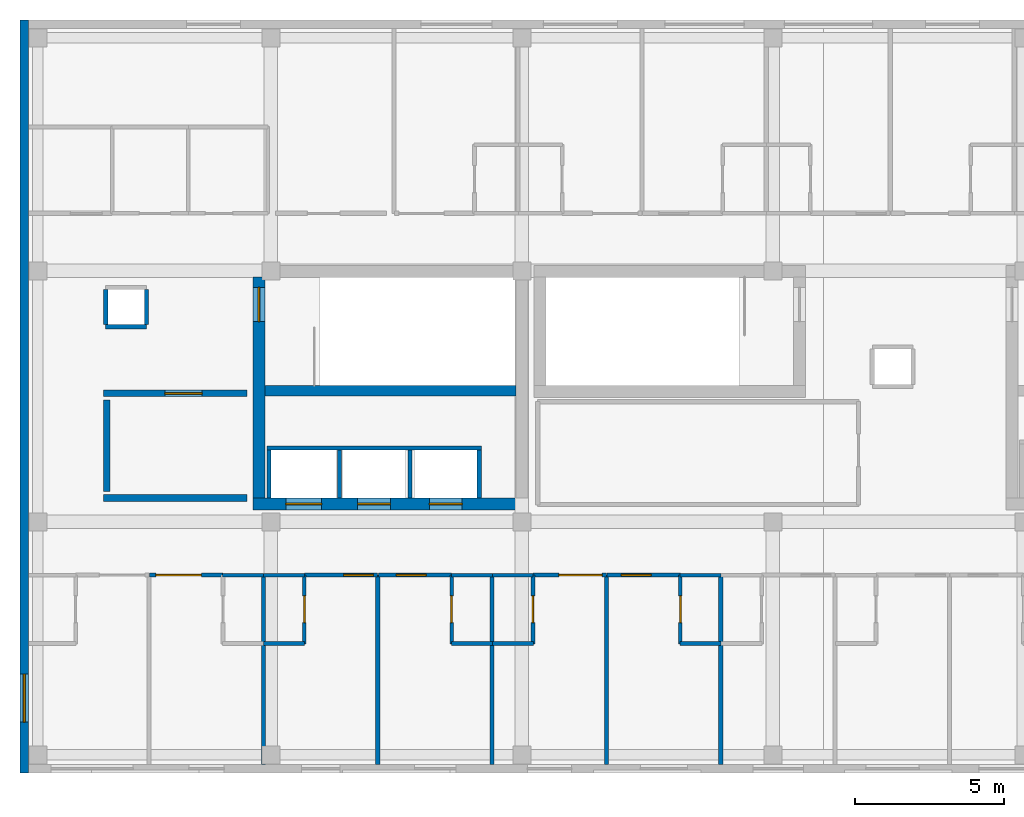
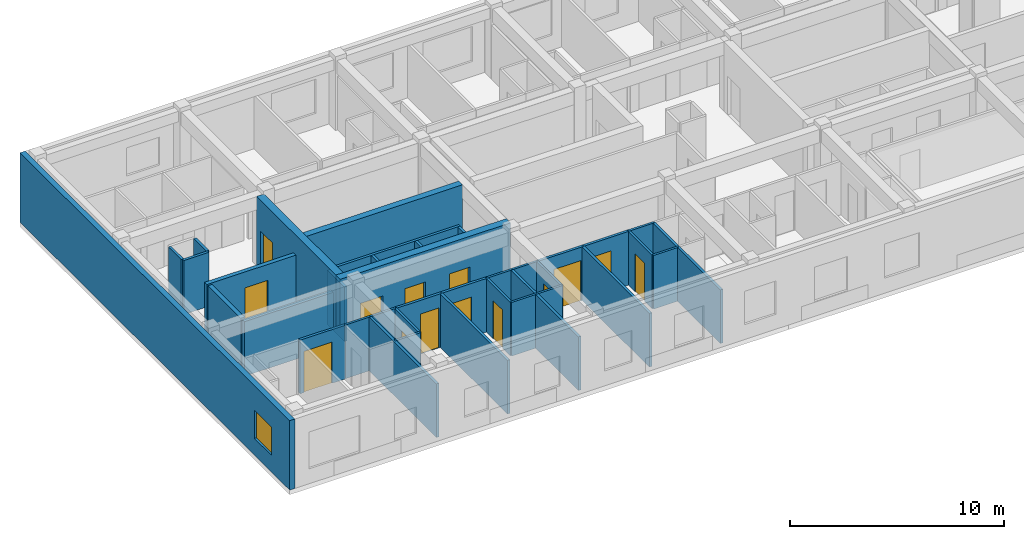
# One storey, part 2 of 7: 38 walls, 14 doors, 1 window, 15 openings.
"""IFC4 building model written with IfcOpenShell, lengths in metres."""

import ifcopenshell
import ifcopenshell.guid

model = None  # the IFC model being written
_history = None  # IfcOwnerHistory: only IFC2X3 demands one
_inside = {}  # id of a spatial element -> (the spatial element, [elements in it])
_under = {}  # id of a project, library or spatial element -> (it, [spatial elements below it])
_declared = {}  # id of a project -> (the project, [libraries it declares])
_typed = {}  # id of a type object -> (the type object, [elements of that type])
_made_of = {}  # id of a material, layer set ... -> (it, [elements and type objects made of it])


def new_model(schema):
    """Start an empty IFC model of exactly this schema.

    Asked for "IFC4X3", IfcOpenShell would pick the latest addendum, in which some entities
    have other attributes; the version numbers below select the first issue.
    IFC2X3 requires an IfcOwnerHistory on every rooted entity: one is made here for all.
    """
    global model, _history
    if schema == "IFC4X3":
        model = ifcopenshell.file(schema_version=(4, 3, 0, 0))
    else:
        model = ifcopenshell.file(schema=schema)
    _inside.clear()
    _under.clear()
    _declared.clear()
    _typed.clear()
    _made_of.clear()
    _history = None
    if model.schema == "IFC2X3":
        org = make("IfcOrganization", Name="unknown")
        user = make(
            "IfcPersonAndOrganization",
            ThePerson=make("IfcPerson", FamilyName="unknown"),
            TheOrganization=org,
        )
        app = make(
            "IfcApplication",
            ApplicationDeveloper=org,
            Version="unknown",
            ApplicationFullName="unknown",
            ApplicationIdentifier="unknown",
        )
        _history = make(
            "IfcOwnerHistory",
            OwningUser=user,
            OwningApplication=app,
            ChangeAction="ADDED",
            CreationDate=0,
        )
    return model


def make(cls, **values):
    """One entity of the class cls with the attributes given. An attribute that is None is left unset."""
    return model.create_entity(
        cls, **{name: value for name, value in values.items() if value is not None}
    )


def rooted(cls, **values):
    """An entity with a GlobalId (a new one), such as an element, a storey or a relation."""
    return make(cls, GlobalId=ifcopenshell.guid.new(), OwnerHistory=_history, **values)


def si_unit(unit_type, name, prefix=None):
    """IfcSIUnit, for example si_unit("LENGTHUNIT", "METRE", prefix="MILLI")."""
    return make("IfcSIUnit", UnitType=unit_type, Prefix=prefix, Name=name)


def assignment(units):
    """IfcUnitAssignment: the units of a project."""
    return None if units is None else make("IfcUnitAssignment", Units=units)


def point(xyz):
    """IfcCartesianPoint."""
    return None if xyz is None else make("IfcCartesianPoint", Coordinates=xyz)


def direction(xyz):
    """IfcDirection."""
    return None if xyz is None else make("IfcDirection", DirectionRatios=xyz)


def frame(location, z_axis=None, x_axis=None):
    """IfcAxis2Placement3D, a coordinate frame: its origin and axes. An axis left out is left unset."""
    return make(
        "IfcAxis2Placement3D",
        Location=point(location),
        Axis=direction(z_axis),
        RefDirection=direction(x_axis),
    )


def frame_2d(location, x_axis=None):
    """IfcAxis2Placement2D, a coordinate frame in the plane: its origin and x axis."""
    return make(
        "IfcAxis2Placement2D", Location=point(location), RefDirection=direction(x_axis)
    )


def origin():
    """The frame at (0, 0, 0) with its axes left unset."""
    return frame((0.0, 0.0, 0.0))


def place(relative_to, where):
    """IfcLocalPlacement: puts the frame where relative to a parent placement (None: the world)."""
    return make(
        "IfcLocalPlacement", PlacementRelTo=relative_to, RelativePlacement=where
    )


def context(
    kind, dimensions, precision=None, world=None, true_north=None, identifier=None
):
    """IfcGeometricRepresentationContext, for example the 3D "Model" context."""
    return make(
        "IfcGeometricRepresentationContext",
        ContextIdentifier=identifier,
        ContextType=kind,
        CoordinateSpaceDimension=dimensions,
        Precision=precision,
        WorldCoordinateSystem=world,
        TrueNorth=true_north,
    )


def subcontext(parent, identifier, kind, view, scale=None):
    """IfcGeometricRepresentationSubContext, for example "Body" below "Model"."""
    return make(
        "IfcGeometricRepresentationSubContext",
        ContextIdentifier=identifier,
        ContextType=kind,
        ParentContext=parent,
        TargetScale=scale,
        TargetView=view,
    )


def project(units=None, contexts=None):
    """IfcProject with its units and contexts."""
    return rooted(
        "IfcProject",
        Name="project",
        RepresentationContexts=contexts,
        UnitsInContext=assignment(units),
    )


def spatial(cls, under=None, at=None, **own):
    """A site, building, storey or space (cls), placed at a placement, below another one or the project."""
    s = rooted(cls, ObjectPlacement=at, **own)
    if under is not None:
        _under.setdefault(under.id(), (under, []))[1].append(s)
    return s


def profile(cls, at=None, kind="AREA", **sizes):
    """A parametric profile (cls). Its sizes go by their IFC names, for example OverallWidth=200.0."""
    return make(cls, ProfileType=kind, Position=at, **sizes)


def rectangle(**sizes):
    """IfcRectangleProfileDef."""
    return profile("IfcRectangleProfileDef", **sizes)


def extrude(swept, where, along, depth):
    """IfcExtrudedAreaSolid: the profile swept, set in the frame where, extruded along a direction by depth."""
    return make(
        "IfcExtrudedAreaSolid",
        SweptArea=swept,
        Position=where,
        ExtrudedDirection=direction(along),
        Depth=depth,
    )


def shape(context_of_items, identifier, shape_type, items):
    """IfcShapeRepresentation: the items that make up one representation, for example the "Body"."""
    return make(
        "IfcShapeRepresentation",
        ContextOfItems=context_of_items,
        RepresentationIdentifier=identifier,
        RepresentationType=shape_type,
        Items=items,
    )


def material(Name=None, Category=None):
    """IfcMaterial."""
    return make("IfcMaterial", Name=Name, Category=Category)


def layer(
    of_material, thickness, ventilated=None, Name=None, Category=None, Priority=None
):
    """IfcMaterialLayer: one layer of a wall or slab, of a material (None: an air gap)."""
    return make(
        "IfcMaterialLayer",
        Material=of_material,
        LayerThickness=thickness,
        IsVentilated=ventilated,
        Name=Name,
        Category=Category,
        Priority=Priority,
    )


def layer_set(layers, Name=None):
    """IfcMaterialLayerSet."""
    return make("IfcMaterialLayerSet", MaterialLayers=layers, LayerSetName=Name)


def made_of(thing, what):
    """Note that an element or type object is made of a material, layer set ...; save() writes the relation."""
    if what is not None:
        _made_of.setdefault(what.id(), (what, []))[1].append(thing)
    return thing


def type_object(cls, material=None, **own):
    """A type object (cls), such as IfcWallType, which elements share."""
    return made_of(rooted(cls, **own), material)


def element(
    cls,
    number,
    at=None,
    inside=None,
    cuts=None,
    type_object=None,
    material=None,
    context=None,
    identifier="Body",
    shape_type=None,
    held_by="IfcProductDefinitionShape",
    body=None,
    shapes=None,
    **own,
):
    """One element of the class cls, such as IfcWall. Its Tag is "e" and its number.

    at: its placement. inside: the storey or other place that contains it. cuts: it is an
    opening in that element (IfcRelVoidsElement). A single representation is given by context,
    identifier, shape_type and body (its items); several are given by shapes. held_by: the class
    of the entity that holds the representations. save() writes the other relations.
    """
    e = rooted(cls, Tag="e%d" % number, ObjectPlacement=at, **own)
    if body is not None:
        shapes = [shape(context, identifier, shape_type, body)]
    if shapes is not None:
        e.Representation = make(held_by, Representations=shapes)
    if inside is not None:
        _inside.setdefault(inside.id(), (inside, []))[1].append(e)
    if cuts is not None:
        rooted(
            "IfcRelVoidsElement", RelatingBuildingElement=cuts, RelatedOpeningElement=e
        )
    if type_object is not None:
        _typed.setdefault(type_object.id(), (type_object, []))[1].append(e)
    return made_of(e, material)


def fill(opening, filler):
    """IfcRelFillsElement: the door or window that sits in an opening."""
    return rooted(
        "IfcRelFillsElement",
        RelatingOpeningElement=opening,
        RelatedBuildingElement=filler,
    )


def aggregate(whole, parts):
    """IfcRelAggregates: a whole, such as a stair, and the parts it consists of."""
    return rooted("IfcRelAggregates", RelatingObject=whole, RelatedObjects=parts)


def save(model, path):
    """Write the relations noted so far, then the file.

    IfcRelAggregates (storeys below a building ...), IfcRelContainedInSpatialStructure (elements
    in a storey), IfcRelDefinesByType, IfcRelAssociatesMaterial and IfcRelDeclares: one each for
    every whole, place, type object, material and project.
    """
    for whole, parts in _under.values():
        aggregate(whole, parts)
    for where, things in _inside.values():
        rooted(
            "IfcRelContainedInSpatialStructure",
            RelatedElements=things,
            RelatingStructure=where,
        )
    for kind, things in _typed.values():
        rooted("IfcRelDefinesByType", RelatedObjects=things, RelatingType=kind)
    for what, things in _made_of.values():
        rooted("IfcRelAssociatesMaterial", RelatedObjects=things, RelatingMaterial=what)
    for by, libraries in _declared.values():
        rooted("IfcRelDeclares", RelatingContext=by, RelatedDefinitions=libraries)
    model.write(path)


model = new_model("IFC4")

# Units and contexts
model_context = context("Model", 3, precision=1e-05, world=origin(), true_north=direction((0.0, 1.0)))
body_context = subcontext(model_context, "Body", "Model", "MODEL_VIEW")
ifc_project = project(units=[si_unit("LENGTHUNIT", "METRE"), si_unit("AREAUNIT", "SQUARE_METRE"), si_unit("VOLUMEUNIT", "CUBIC_METRE"), si_unit("PLANEANGLEUNIT", "RADIAN"), si_unit("MASSUNIT", "GRAM", prefix="KILO")], contexts=[model_context])

# Site, building, storey
site_placement = place(None, origin())
site = spatial("IfcSite", under=ifc_project, at=site_placement, CompositionType="ELEMENT")
building_placement = place(site_placement, origin())
building = spatial("IfcBuilding", under=site, at=building_placement, Name="Zayran Congress Hotel", CompositionType="ELEMENT")
storey_placement = place(building_placement, frame((0.0, 0.0, 44.39990234375)))
storey = spatial("IfcBuildingStorey", under=building, at=storey_placement, Name="L11", CompositionType="ELEMENT", Elevation=44.39990234375)

# Wall, opening, window
ifc_material_1 = material(Name="Hajar Ma'ani limestone cavity wall and concrete C32/40", Category="masonry")
ifc_layer_1 = layer(ifc_material_1, 0.280029296875)
ifc_layer_set_1 = layer_set([ifc_layer_1], Name="Hajar Ma'ani limestone cavity wall and concrete C32/40")
wall_type_1 = type_object("IfcWallType", Name="WL-EX-280", PredefinedType="SOLIDWALL", material=ifc_layer_set_1)
wall_1_placement = place(storey_placement, frame((16.93994140625, 8.800048828125, 0.0), z_axis=(0.0, 0.0, 1.0), x_axis=(0.0, 1.0, 0.0)))
wall_1 = element("IfcWall", 1, at=wall_1_placement, inside=storey, type_object=wall_type_1, Name="EW-V5-W-L11", PredefinedType="SOLIDWALL", context=body_context, shape_type="SweptSolid", body=[
    extrude(rectangle(XDim=25.199951171875, YDim=0.280029296875, at=frame_2d((12.60009765625, 0.0))), origin(), (0.0, 0.0, 1.0), 3.960205078125),
])
opening_1_placement = place(wall_1_placement, frame((1.699951171875, 0.0, 0.949951171875)))
opening_1 = element("IfcOpeningElement", 2, at=opening_1_placement, cuts=wall_1, Name="Opening WN-15", PredefinedType="OPENING", context=body_context, shape_type="SweptSolid", body=[
    extrude(rectangle(XDim=1.60009765625, YDim=1.60009765625, at=frame_2d((0.800048828125, 0.800048828125))), frame((0.0, 0.14990234375, 0.0), z_axis=(0.0, -1.0, 0.0), x_axis=(1.0, 0.0, 0.0)), (0.0, 0.0, 1.0), 0.300048828125),
])
ifc_material_2 = material(Name="Anodised aluminium and low-E insulated glass", Category="aluminium")
window_type = type_object("IfcWindowType", Name="TP-WN-15", PartitioningType="SINGLE_PANEL", PredefinedType="WINDOW", material=ifc_material_2)
window_placement = place(opening_1_placement, origin())
window = element("IfcWindow", 3, at=window_placement, inside=storey, type_object=window_type, Name="WIN-V5W-L11", OverallHeight=1.60009765625, OverallWidth=1.60009765625, PartitioningType="SINGLE_PANEL", PredefinedType="WINDOW", context=body_context, shape_type="SweptSolid", body=[
    extrude(rectangle(XDim=1.60009765625, YDim=1.60009765625, at=frame_2d((0.800048828125, 0.800048828125))), frame((0.0, 0.030029296875, 0.0), z_axis=(0.0, -1.0, 0.0), x_axis=(1.0, 0.0, 0.0)), (0.0, 0.0, 1.0), 0.06005859375),
])
fill(opening_1, window)

# Wall, openings, doors
ifc_material_3 = material(Name="Concrete C40/50", Category="concrete")
ifc_layer_2 = layer(ifc_material_3, 0.39990234375)
ifc_layer_set_2 = layer_set([ifc_layer_2], Name="Concrete C40/50")
wall_type_2 = type_object("IfcWallType", Name="WL-SH-400", PredefinedType="SHEAR", material=ifc_layer_set_2)
wall_2_placement = place(storey_placement, frame((24.60009765625, 17.800048828125, 0.0), z_axis=(0.0, 0.0, 1.0), x_axis=(1.0, 0.0, 0.0)))
wall_2 = element("IfcWall", 4, at=wall_2_placement, inside=storey, type_object=wall_type_2, Name="CWALL-C-V5W-L11-S", PredefinedType="SHEAR", context=body_context, shape_type="SweptSolid", body=[
    extrude(rectangle(XDim=9.199951171875, YDim=0.39990234375, at=frame_2d((4.60009765625, 0.0))), origin(), (0.0, 0.0, 1.0), 3.960205078125),
])
opening_2_placement = place(wall_2_placement, frame((1.10009765625, 0.0, 0.0)))
opening_2 = element("IfcOpeningElement", 5, at=opening_2_placement, cuts=wall_2, Name="Opening LD-FL01", PredefinedType="OPENING", context=body_context, shape_type="SweptSolid", body=[
    extrude(rectangle(XDim=1.199951171875, YDim=2.199951171875, at=frame_2d((0.60009765625, 1.10009765625))), frame((0.0, 0.2099609375, 0.0), z_axis=(0.0, -1.0, 0.0), x_axis=(1.0, 0.0, 0.0)), (0.0, 0.0, 1.0), 0.419921875),
])
opening_3_placement = place(wall_2_placement, frame((3.5, 0.0, 0.0)))
opening_3 = element("IfcOpeningElement", 6, at=opening_3_placement, cuts=wall_2, Name="Opening LD-PL01", PredefinedType="OPENING", context=body_context, shape_type="SweptSolid", body=[
    extrude(rectangle(XDim=1.10009765625, YDim=2.199951171875, at=frame_2d((0.550048828125, 1.10009765625))), frame((0.0, 0.2099609375, 0.0), z_axis=(0.0, -1.0, 0.0), x_axis=(1.0, 0.0, 0.0)), (0.0, 0.0, 1.0), 0.419921875),
])
opening_4_placement = place(wall_2_placement, frame((5.89990234375, 0.0, 0.0)))
opening_4 = element("IfcOpeningElement", 7, at=opening_4_placement, cuts=wall_2, Name="Opening LD-PL02", PredefinedType="OPENING", context=body_context, shape_type="SweptSolid", body=[
    extrude(rectangle(XDim=1.10009765625, YDim=2.199951171875, at=frame_2d((0.550048828125, 1.10009765625))), frame((0.0, 0.2099609375, 0.0), z_axis=(0.0, -1.0, 0.0), x_axis=(1.0, 0.0, 0.0)), (0.0, 0.0, 1.0), 0.419921875),
])
ifc_material_4 = material(Name="Brushed stainless steel sliding lift landing door", Category="steel")
door_type_1 = type_object("IfcDoorType", Name="TP-DR-LD-01", OperationType="DOUBLE_DOOR_SLIDING", PredefinedType="DOOR", material=ifc_material_4)
door_1_placement = place(opening_3_placement, origin())
door_1 = element("IfcDoor", 8, at=door_1_placement, inside=storey, type_object=door_type_1, Name="Lift PL-01 Sliding Landing Door L11", OperationType="DOUBLE_DOOR_SLIDING", OverallHeight=2.199951171875, OverallWidth=1.10009765625, PredefinedType="DOOR", context=body_context, shape_type="SweptSolid", body=[
    extrude(rectangle(XDim=1.10009765625, YDim=2.199951171875, at=frame_2d((0.550048828125, 1.10009765625))), frame((0.0, 0.02490234375, 0.0), z_axis=(0.0, -1.0, 0.0), x_axis=(1.0, 0.0, 0.0)), (0.0, 0.0, 1.0), 0.050048828125),
])
fill(opening_3, door_1)
door_2_placement = place(opening_4_placement, origin())
door_2 = element("IfcDoor", 9, at=door_2_placement, inside=storey, type_object=door_type_1, Name="Lift PL-02 Sliding Landing Door L11", OperationType="DOUBLE_DOOR_SLIDING", OverallHeight=2.199951171875, OverallWidth=1.10009765625, PredefinedType="DOOR", context=body_context, shape_type="SweptSolid", body=[
    extrude(rectangle(XDim=1.10009765625, YDim=2.199951171875, at=frame_2d((0.550048828125, 1.10009765625))), frame((0.0, 0.02490234375, 0.0), z_axis=(0.0, -1.0, 0.0), x_axis=(1.0, 0.0, 0.0)), (0.0, 0.0, 1.0), 0.050048828125),
])
fill(opening_4, door_2)
ifc_material_5 = material(Name="Brushed stainless steel firefighting lift landing door", Category="steel")
door_type_2 = type_object("IfcDoorType", Name="TP-DR-LD-02", OperationType="DOUBLE_DOOR_SLIDING", PredefinedType="DOOR", material=ifc_material_5)
door_3_placement = place(opening_2_placement, origin())
door_3 = element("IfcDoor", 10, at=door_3_placement, inside=storey, type_object=door_type_2, Name="Lift FL-01 Sliding Landing Door L11", OperationType="DOUBLE_DOOR_SLIDING", OverallHeight=2.199951171875, OverallWidth=1.199951171875, PredefinedType="DOOR", context=body_context, shape_type="SweptSolid", body=[
    extrude(rectangle(XDim=1.199951171875, YDim=2.199951171875, at=frame_2d((0.60009765625, 1.10009765625))), frame((0.0, 0.02490234375, 0.0), z_axis=(0.0, -1.0, 0.0), x_axis=(1.0, 0.0, 0.0)), (0.0, 0.0, 1.0), 0.050048828125),
])
fill(opening_2, door_3)

# Wall, opening, door
wall_3_placement = place(storey_placement, frame((24.800048828125, 25.39990234375, 0.0), z_axis=(0.0, 0.0, 1.0), x_axis=(0.0, -1.0, 0.0)))
wall_3 = element("IfcWall", 11, at=wall_3_placement, inside=storey, type_object=wall_type_2, Name="CWALL-C-V5W-L11-W", PredefinedType="SHEAR", context=body_context, shape_type="SweptSolid", body=[
    extrude(rectangle(XDim=7.39990234375, YDim=0.39990234375, at=frame_2d((3.699951171875, 0.0))), origin(), (0.0, 0.0, 1.0), 3.960205078125),
])
opening_5_placement = place(wall_3_placement, frame((0.35009765625, 0.0, 0.0)))
opening_5 = element("IfcOpeningElement", 12, at=opening_5_placement, cuts=wall_3, Name="Opening DR-FD-90", PredefinedType="OPENING", context=body_context, shape_type="SweptSolid", body=[
    extrude(rectangle(XDim=1.14990234375, YDim=2.199951171875, at=frame_2d((0.574951171875, 1.10009765625))), frame((0.0, 0.2099609375, 0.0), z_axis=(0.0, -1.0, 0.0), x_axis=(1.0, 0.0, 0.0)), (0.0, 0.0, 1.0), 0.419921875),
])
ifc_material_6 = material(Name="Painted steel fire door assembly", Category="steel")
door_type_3 = type_object("IfcDoorType", Name="TP-DR-FD-90", OperationType="NOTDEFINED", PredefinedType="DOOR", material=ifc_material_6)
door_4_placement = place(opening_5_placement, origin())
door_4 = element("IfcDoor", 13, at=door_4_placement, inside=storey, type_object=door_type_3, Name="ST-01 Exit Stair Door L11", OperationType="SINGLE_SWING_LEFT", OverallHeight=2.199951171875, OverallWidth=1.14990234375, PredefinedType="DOOR", context=body_context, shape_type="SweptSolid", body=[
    extrude(rectangle(XDim=1.14990234375, YDim=2.199951171875, at=frame_2d((0.574951171875, 1.10009765625))), frame((0.0, 0.02490234375, 0.0), z_axis=(0.0, -1.0, 0.0), x_axis=(1.0, 0.0, 0.0)), (0.0, 0.0, 1.0), 0.050048828125),
])
fill(opening_5, door_4)

# Walls
ifc_layer_3 = layer(ifc_material_3, 0.35009765625)
ifc_layer_set_3 = layer_set([ifc_layer_3], Name="Concrete C40/50")
wall_type_3 = type_object("IfcWallType", Name="WL-SH-350", PredefinedType="SHEAR", material=ifc_layer_set_3)
wall_4_placement = place(storey_placement, frame((25.0, 21.5849609375, 0.0), z_axis=(0.0, 0.0, 1.0), x_axis=(1.0, 0.0, 0.0)))
element("IfcWall", 14, at=wall_4_placement, inside=storey, type_object=wall_type_3, Name="CWALL-C-V5W-L11-SPN", PredefinedType="SHEAR", context=body_context, shape_type="SweptSolid", body=[
    extrude(rectangle(XDim=8.39990234375, YDim=0.35009765625, at=frame_2d((4.199951171875, 0.0))), origin(), (0.0, 0.0, 1.0), 3.960205078125),
])
ifc_material_7 = material(Name="Concrete C32/40 fire wall", Category="concrete")
ifc_layer_4 = layer(ifc_material_7, 0.219970703125)
ifc_layer_set_4 = layer_set([ifc_layer_4], Name="Concrete C32/40 fire wall")
wall_type_4 = type_object("IfcWallType", Name="WL-FF-220", PredefinedType="SOLIDWALL", material=ifc_layer_set_4)
wall_5_placement = place(storey_placement, frame((19.60009765625, 18.0, 0.0), z_axis=(0.0, 0.0, 1.0), x_axis=(1.0, 0.0, 0.0)))
element("IfcWall", 15, at=wall_5_placement, inside=storey, type_object=wall_type_4, Name="FFWL-C-V5W-L11-S", PredefinedType="SOLIDWALL", context=body_context, shape_type="SweptSolid", body=[
    extrude(rectangle(XDim=4.7998046875, YDim=0.219970703125, at=frame_2d((2.39990234375, 0.0))), origin(), (0.0, 0.0, 1.0), 3.110107421875),
])

# Wall, opening, door
wall_6_placement = place(storey_placement, frame((19.60009765625, 21.5, 0.0), z_axis=(0.0, 0.0, 1.0), x_axis=(1.0, 0.0, 0.0)))
wall_6 = element("IfcWall", 16, at=wall_6_placement, inside=storey, type_object=wall_type_4, Name="FFWL-C-V5W-L11-N", PredefinedType="SOLIDWALL", context=body_context, shape_type="SweptSolid", body=[
    extrude(rectangle(XDim=4.7998046875, YDim=0.219970703125, at=frame_2d((2.39990234375, 0.0))), origin(), (0.0, 0.0, 1.0), 3.110107421875),
])
opening_6_placement = place(wall_6_placement, frame((2.050048828125, 0.0, 0.0)))
opening_6 = element("IfcOpeningElement", 17, at=opening_6_placement, cuts=wall_6, Name="Opening DR-FF-60", PredefinedType="OPENING", context=body_context, shape_type="SweptSolid", body=[
    extrude(rectangle(XDim=1.25, YDim=2.199951171875, at=frame_2d((0.625, 1.10009765625))), frame((0.0, 0.119873046875, 0.0), z_axis=(0.0, -1.0, 0.0), x_axis=(1.0, 0.0, 0.0)), (0.0, 0.0, 1.0), 0.239990234375),
])
ifc_material_8 = material(Name="Painted steel smoke-seal fire door", Category="steel")
door_type_4 = type_object("IfcDoorType", Name="TP-DR-FF-60", OperationType="NOTDEFINED", PredefinedType="DOOR", material=ifc_material_8)
door_5_placement = place(opening_6_placement, origin())
door_5 = element("IfcDoor", 18, at=door_5_placement, inside=storey, type_object=door_type_4, Name="Firefighting Lift Lobby Door C-V5W L11", OperationType="SINGLE_SWING_RIGHT", OverallHeight=2.199951171875, OverallWidth=1.25, PredefinedType="DOOR", context=body_context, shape_type="SweptSolid", body=[
    extrude(rectangle(XDim=1.25, YDim=2.199951171875, at=frame_2d((0.625, 1.10009765625))), frame((0.0, 0.02490234375, 0.0), z_axis=(0.0, -1.0, 0.0), x_axis=(1.0, 0.0, 0.0)), (0.0, 0.0, 1.0), 0.050048828125),
])
fill(opening_6, door_5)

# Walls
wall_7_placement = place(storey_placement, frame((19.7099609375, 18.219970703125, 0.0), z_axis=(0.0, 0.0, 1.0), x_axis=(0.0, 1.0, 0.0)))
element("IfcWall", 19, at=wall_7_placement, inside=storey, type_object=wall_type_4, Name="FFWL-C-V5W-L11-SD", PredefinedType="SOLIDWALL", context=body_context, shape_type="SweptSolid", body=[
    extrude(rectangle(XDim=3.06005859375, YDim=0.219970703125, at=frame_2d((1.530029296875, 0.0))), origin(), (0.0, 0.0, 1.0), 3.110107421875),
])
ifc_material_9 = material(Name="Hospitality guestroom acoustic partition", Category="gypsum")
ifc_layer_5 = layer(ifc_material_9, 0.139892578125)
ifc_layer_set_5 = layer_set([ifc_layer_5], Name="Hospitality guestroom acoustic partition")
wall_type_5 = type_object("IfcWallType", Name="WL-PT-140", PredefinedType="PARTITIONING", material=ifc_layer_set_5)
for number, where, z_axis, x_axis, name in (
    (20, (25.1298828125, 18.0, 0.0), (0.0, 0.0, 1.0), (0.0, 1.0, 0.0), "LSHW-C-V5W-L11-W"),
    (21, (27.5, 18.0, 0.0), (0.0, 0.0, 1.0), (0.0, 1.0, 0.0), "LSHW-C-V5W-L11-DIV1"),
    (22, (29.85009765625, 18.0, 0.0), (0.0, 0.0, 1.0), (0.0, 1.0, 0.0), "LSHW-C-V5W-L11-DIV2"),
    (23, (32.169921875, 18.0, 0.0), (0.0, 0.0, 1.0), (0.0, 1.0, 0.0), "LSHW-C-V5W-L11-E"),
):
    element("IfcWall", number, at=place(storey_placement, frame(where, z_axis=z_axis, x_axis=x_axis)), inside=storey, type_object=wall_type_5, Name=name, PredefinedType="PARTITIONING", context=body_context, shape_type="SweptSolid", body=[
        extrude(rectangle(XDim=1.60009765625, YDim=0.139892578125, at=frame_2d((0.800048828125, 0.0))), origin(), (0.0, 0.0, 1.0), 3.110107421875),
    ])
wall_8_placement = place(storey_placement, frame((25.06005859375, 19.669921875, 0.0), z_axis=(0.0, 0.0, 1.0), x_axis=(1.0, 0.0, 0.0)))
element("IfcWall", 24, at=wall_8_placement, inside=storey, type_object=wall_type_5, Name="LSHW-C-V5W-L11-N", PredefinedType="PARTITIONING", context=body_context, shape_type="SweptSolid", body=[
    extrude(rectangle(XDim=7.179931640625, YDim=0.139892578125, at=frame_2d((3.58984375, 0.0))), origin(), (0.0, 0.0, 1.0), 3.110107421875),
])

# Wall, opening, door
wall_9_placement = place(storey_placement, frame((21.137939453125, 15.419921875, 0.0), z_axis=(0.0, 0.0, 1.0), x_axis=(1.0, 0.0, 0.0)))
wall_9 = element("IfcWall", 25, at=wall_9_placement, inside=storey, type_object=wall_type_5, Name="IW-L11-0840", PredefinedType="PARTITIONING", context=body_context, shape_type="SweptSolid", body=[
    extrude(rectangle(XDim=2.4580078125, YDim=0.139892578125, at=frame_2d((1.22900390625, 0.0))), origin(), (0.0, 0.0, 1.0), 3.06005859375),
])
opening_7_placement = place(wall_9_placement, frame((0.2109375, 0.0, 0.0)))
opening_7 = element("IfcOpeningElement", 26, at=opening_7_placement, cuts=wall_9, Name="Opening DR-ST-02", PredefinedType="OPENING", context=body_context, shape_type="SweptSolid", body=[
    extrude(rectangle(XDim=1.52001953125, YDim=2.35009765625, at=frame_2d((0.760009765625, 1.175048828125))), frame((0.0, 0.079833984375, 0.0), z_axis=(0.0, -1.0, 0.0), x_axis=(1.0, 0.0, 0.0)), (0.0, 0.0, 1.0), 0.159912109375),
])
ifc_material_10 = material(Name="Double presidential suite entry door", Category="steel")
door_type_5 = type_object("IfcDoorType", Name="TP-DR-ST-02", OperationType="DOUBLE_DOOR_SINGLE_SWING", PredefinedType="DOOR", material=ifc_material_10)
door_6_placement = place(opening_7_placement, origin())
door_6 = element("IfcDoor", 27, at=door_6_placement, inside=storey, type_object=door_type_5, Name="Presidential Suite L11-02 Door", OperationType="DOUBLE_DOOR_SINGLE_SWING", OverallHeight=2.35009765625, OverallWidth=1.52001953125, PredefinedType="DOOR", context=body_context, shape_type="SweptSolid", body=[
    extrude(rectangle(XDim=1.52001953125, YDim=2.35009765625, at=frame_2d((0.760009765625, 1.175048828125))), frame((0.0, 0.02490234375, 0.0), z_axis=(0.0, -1.0, 0.0), x_axis=(1.0, 0.0, 0.0)), (0.0, 0.0, 1.0), 0.050048828125),
])
fill(opening_7, door_6)

wall_10_placement = place(storey_placement, frame((26.31591796875, 15.419921875, 0.0), z_axis=(0.0, 0.0, 1.0), x_axis=(1.0, 0.0, 0.0)))
wall_10 = element("IfcWall", 28, at=wall_10_placement, inside=storey, type_object=wall_type_5, Name="IW-L11-0841", PredefinedType="PARTITIONING", context=body_context, shape_type="SweptSolid", body=[
    extrude(rectangle(XDim=2.45703125, YDim=0.139892578125, at=frame_2d((1.228515625, 0.0))), origin(), (0.0, 0.0, 1.0), 3.06005859375),
])
opening_8_placement = place(wall_10_placement, frame((1.31689453125, 0.0, 0.0)))
opening_8 = element("IfcOpeningElement", 29, at=opening_8_placement, cuts=wall_10, Name="Opening DR-GR-04", PredefinedType="OPENING", context=body_context, shape_type="SweptSolid", body=[
    extrude(rectangle(XDim=1.0, YDim=2.280029296875, at=frame_2d((0.5, 1.14013671875))), frame((0.0, 0.079833984375, 0.0), z_axis=(0.0, -1.0, 0.0), x_axis=(1.0, 0.0, 0.0)), (0.0, 0.0, 1.0), 0.159912109375),
])
ifc_material_11 = material(Name="Diplomatic walnut veneer entry door", Category="wood")
door_type_6 = type_object("IfcDoorType", Name="TP-DR-GR-04", OperationType="NOTDEFINED", PredefinedType="DOOR", material=ifc_material_11)
door_7_placement = place(opening_8_placement, origin())
door_7 = element("IfcDoor", 30, at=door_7_placement, inside=storey, type_object=door_type_6, Name="Guest Room L11-03 Door", OperationType="SINGLE_SWING_LEFT", OverallHeight=2.280029296875, OverallWidth=1.0, PredefinedType="DOOR", context=body_context, shape_type="SweptSolid", body=[
    extrude(rectangle(XDim=1.0, YDim=2.280029296875, at=frame_2d((0.5, 1.14013671875))), frame((0.0, 0.02490234375, 0.0), z_axis=(0.0, -1.0, 0.0), x_axis=(1.0, 0.0, 0.0)), (0.0, 0.0, 1.0), 0.050048828125),
])
fill(opening_8, door_7)

wall_11_placement = place(storey_placement, frame((28.79296875, 15.419921875, 0.0), z_axis=(0.0, 0.0, 1.0), x_axis=(1.0, 0.0, 0.0)))
wall_11 = element("IfcWall", 31, at=wall_11_placement, inside=storey, type_object=wall_type_5, Name="IW-L11-0842", PredefinedType="PARTITIONING", context=body_context, shape_type="SweptSolid", body=[
    extrude(rectangle(XDim=2.4580078125, YDim=0.139892578125, at=frame_2d((1.22900390625, 0.0))), origin(), (0.0, 0.0, 1.0), 3.06005859375),
])
opening_9_placement = place(wall_11_placement, frame((0.60302734375, 0.0, 0.0)))
opening_9 = element("IfcOpeningElement", 32, at=opening_9_placement, cuts=wall_11, Name="Opening DR-GR-04", PredefinedType="OPENING", context=body_context, shape_type="SweptSolid", body=[
    extrude(rectangle(XDim=1.0, YDim=2.280029296875, at=frame_2d((0.5, 1.14013671875))), frame((0.0, 0.079833984375, 0.0), z_axis=(0.0, -1.0, 0.0), x_axis=(1.0, 0.0, 0.0)), (0.0, 0.0, 1.0), 0.159912109375),
])
door_8_placement = place(opening_9_placement, origin())
door_8 = element("IfcDoor", 33, at=door_8_placement, inside=storey, type_object=door_type_6, Name="Guest Room L11-04 Door", OperationType="SINGLE_SWING_RIGHT", OverallHeight=2.280029296875, OverallWidth=1.0, PredefinedType="DOOR", context=body_context, shape_type="SweptSolid", body=[
    extrude(rectangle(XDim=1.0, YDim=2.280029296875, at=frame_2d((0.5, 1.14013671875))), frame((0.0, 0.02490234375, 0.0), z_axis=(0.0, -1.0, 0.0), x_axis=(1.0, 0.0, 0.0)), (0.0, 0.0, 1.0), 0.050048828125),
])
fill(opening_9, door_8)

wall_12_placement = place(storey_placement, frame((33.970947265625, 15.419921875, 0.0), z_axis=(0.0, 0.0, 1.0), x_axis=(1.0, 0.0, 0.0)))
wall_12 = element("IfcWall", 34, at=wall_12_placement, inside=storey, type_object=wall_type_5, Name="IW-L11-0843", PredefinedType="PARTITIONING", context=body_context, shape_type="SweptSolid", body=[
    extrude(rectangle(XDim=2.4580078125, YDim=0.139892578125, at=frame_2d((1.22900390625, 0.0))), origin(), (0.0, 0.0, 1.0), 3.06005859375),
])
opening_10_placement = place(wall_12_placement, frame((0.867919921875, 0.0, 0.0)))
opening_10 = element("IfcOpeningElement", 35, at=opening_10_placement, cuts=wall_12, Name="Opening DR-ST-01", PredefinedType="OPENING", context=body_context, shape_type="SweptSolid", body=[
    extrude(rectangle(XDim=1.449951171875, YDim=2.300048828125, at=frame_2d((0.72509765625, 1.14990234375))), frame((0.0, 0.079833984375, 0.0), z_axis=(0.0, -1.0, 0.0), x_axis=(1.0, 0.0, 0.0)), (0.0, 0.0, 1.0), 0.159912109375),
])
ifc_material_12 = material(Name="Double walnut veneer suite entry door", Category="wood")
door_type_7 = type_object("IfcDoorType", Name="TP-DR-ST-01", OperationType="DOUBLE_DOOR_SINGLE_SWING", PredefinedType="DOOR", material=ifc_material_12)
door_9_placement = place(opening_10_placement, origin())
door_9 = element("IfcDoor", 36, at=door_9_placement, inside=storey, type_object=door_type_7, Name="Junior Suite L11-05 Door", OperationType="DOUBLE_DOOR_SINGLE_SWING", OverallHeight=2.300048828125, OverallWidth=1.449951171875, PredefinedType="DOOR", context=body_context, shape_type="SweptSolid", body=[
    extrude(rectangle(XDim=1.449951171875, YDim=2.300048828125, at=frame_2d((0.72509765625, 1.14990234375))), frame((0.0, 0.02490234375, 0.0), z_axis=(0.0, -1.0, 0.0), x_axis=(1.0, 0.0, 0.0)), (0.0, 0.0, 1.0), 0.050048828125),
])
fill(opening_10, door_9)

wall_13_placement = place(storey_placement, frame((36.448974609375, 15.419921875, 0.0), z_axis=(0.0, 0.0, 1.0), x_axis=(1.0, 0.0, 0.0)))
wall_13 = element("IfcWall", 37, at=wall_13_placement, inside=storey, type_object=wall_type_5, Name="IW-L11-0844", PredefinedType="PARTITIONING", context=body_context, shape_type="SweptSolid", body=[
    extrude(rectangle(XDim=2.4580078125, YDim=0.139892578125, at=frame_2d((1.22900390625, 0.0))), origin(), (0.0, 0.0, 1.0), 3.06005859375),
])
opening_11_placement = place(wall_13_placement, frame((0.47705078125, 0.0, 0.0)))
opening_11 = element("IfcOpeningElement", 38, at=opening_11_placement, cuts=wall_13, Name="Opening DR-GR-04", PredefinedType="OPENING", context=body_context, shape_type="SweptSolid", body=[
    extrude(rectangle(XDim=1.0, YDim=2.280029296875, at=frame_2d((0.5, 1.14013671875))), frame((0.0, 0.079833984375, 0.0), z_axis=(0.0, -1.0, 0.0), x_axis=(1.0, 0.0, 0.0)), (0.0, 0.0, 1.0), 0.159912109375),
])
door_10_placement = place(opening_11_placement, origin())
door_10 = element("IfcDoor", 39, at=door_10_placement, inside=storey, type_object=door_type_6, Name="Guest Room L11-06 Door", OperationType="SINGLE_SWING_LEFT", OverallHeight=2.280029296875, OverallWidth=1.0, PredefinedType="DOOR", context=body_context, shape_type="SweptSolid", body=[
    extrude(rectangle(XDim=1.0, YDim=2.280029296875, at=frame_2d((0.5, 1.14013671875))), frame((0.0, 0.02490234375, 0.0), z_axis=(0.0, -1.0, 0.0), x_axis=(1.0, 0.0, 0.0)), (0.0, 0.0, 1.0), 0.050048828125),
])
fill(opening_11, door_10)

# Walls
for number, where, z_axis, x_axis, name in (
    (40, (24.946044921875, 9.080078125, 0.0), (0.0, 0.0, 1.0), (0.0, 1.0, 0.0), "IW-L11-2176"),
    (41, (28.77294921875, 9.080078125, 0.0), (0.0, 0.0, 1.0), (0.0, 1.0, 0.0), "IW-L11-2177"),
    (42, (32.60107421875, 9.080078125, 0.0), (0.0, 0.0, 1.0), (0.0, 1.0, 0.0), "IW-L11-2178"),
    (43, (36.428955078125, 9.080078125, 0.0), (0.0, 0.0, 1.0), (0.0, 1.0, 0.0), "IW-L11-2179"),
    (44, (40.257080078125, 9.080078125, 0.0), (0.0, 0.0, 1.0), (0.0, 1.0, 0.0), "IW-L11-2180"),
):
    element("IfcWall", number, at=place(storey_placement, frame(where, z_axis=z_axis, x_axis=x_axis)), inside=storey, type_object=wall_type_5, Name=name, PredefinedType="PARTITIONING", context=body_context, shape_type="SweptSolid", body=[
        extrude(rectangle(XDim=6.349853515625, YDim=0.139892578125, at=frame_2d((3.1748046875, 0.0))), origin(), (0.0, 0.0, 1.0), 3.06005859375),
    ])
wall_14_placement = place(storey_placement, frame((19.669921875, 23.72998046875, 0.0), z_axis=(0.0, 0.0, 1.0), x_axis=(1.0, 0.0, 0.0)))
element("IfcWall", 45, at=wall_14_placement, inside=storey, type_object=wall_type_5, Name="RSWL-V5-L11-056-S", PredefinedType="PARTITIONING", context=body_context, shape_type="SweptSolid", body=[
    extrude(rectangle(XDim=1.360107421875, YDim=0.139892578125, at=frame_2d((0.68017578125, 0.0))), origin(), (0.0, 0.0, 1.0), 3.080078125),
])
for number, where, z_axis, x_axis, name in (
    (46, (19.669921875, 24.97998046875, 0.0), (0.0, 0.0, 1.0), (0.0, -1.0, 0.0), "RSWL-V5-L11-056-W"),
    (47, (21.030029296875, 23.800048828125, 0.0), (0.0, 0.0, 1.0), (0.0, 1.0, 0.0), "RSWL-V5-L11-056-E"),
):
    element("IfcWall", number, at=place(storey_placement, frame(where, z_axis=z_axis, x_axis=x_axis)), inside=storey, type_object=wall_type_5, Name=name, PredefinedType="PARTITIONING", context=body_context, shape_type="SweptSolid", body=[
        extrude(rectangle(XDim=1.179931640625, YDim=0.139892578125, at=frame_2d((0.58984375, 0.0))), origin(), (0.0, 0.0, 1.0), 3.080078125),
    ])

# Wall, opening, door
ifc_material_13 = material(Name="Moisture-resistant bathroom partition", Category="gypsum")
ifc_layer_6 = layer(ifc_material_13, 0.1201171875)
ifc_layer_set_6 = layer_set([ifc_layer_6], Name="Moisture-resistant bathroom partition")
wall_type_6 = type_object("IfcWallType", Name="WL-PT-120", PredefinedType="PARTITIONING", material=ifc_layer_set_6)
wall_15_placement = place(storey_placement, frame((26.31591796875, 13.1201171875, 0.0), z_axis=(0.0, 0.0, 1.0), x_axis=(0.0, 1.0, 0.0)))
wall_15 = element("IfcWall", 48, at=wall_15_placement, inside=storey, type_object=wall_type_6, Name="IW-L11-0319", PredefinedType="PARTITIONING", context=body_context, shape_type="SweptSolid", body=[
    extrude(rectangle(XDim=2.309814453125, YDim=0.1201171875, at=frame_2d((1.15478515625, 0.0))), origin(), (0.0, 0.0, 1.0), 3.06005859375),
])
opening_12_placement = place(wall_15_placement, frame((0.705078125, 0.0, 0.0)))
opening_12 = element("IfcOpeningElement", 49, at=opening_12_placement, cuts=wall_15, Name="Opening DR-BT-03", PredefinedType="OPENING", context=body_context, shape_type="SweptSolid", body=[
    extrude(rectangle(XDim=0.89990234375, YDim=2.179931640625, at=frame_2d((0.449951171875, 1.08984375))), frame((0.0, 0.070068359375, 0.0), z_axis=(0.0, -1.0, 0.0), x_axis=(1.0, 0.0, 0.0)), (0.0, 0.0, 1.0), 0.14013671875),
])
ifc_material_14 = material(Name="Suite oak en-suite bathroom door", Category="wood")
door_type_8 = type_object("IfcDoorType", Name="TP-DR-BT-03", OperationType="NOTDEFINED", PredefinedType="DOOR", material=ifc_material_14)
door_11_placement = place(opening_12_placement, origin())
door_11 = element("IfcDoor", 50, at=door_11_placement, inside=storey, type_object=door_type_8, Name="En-Suite Bathroom L11-03 Door", OperationType="SINGLE_SWING_RIGHT", OverallHeight=2.179931640625, OverallWidth=0.89990234375, PredefinedType="DOOR", context=body_context, shape_type="SweptSolid", body=[
    extrude(rectangle(XDim=0.89990234375, YDim=2.179931640625, at=frame_2d((0.449951171875, 1.08984375))), frame((0.0, 0.02490234375, 0.0), z_axis=(0.0, -1.0, 0.0), x_axis=(1.0, 0.0, 0.0)), (0.0, 0.0, 1.0), 0.050048828125),
])
fill(opening_12, door_11)

wall_16_placement = place(storey_placement, frame((31.2509765625, 13.1201171875, 0.0), z_axis=(0.0, 0.0, 1.0), x_axis=(0.0, 1.0, 0.0)))
wall_16 = element("IfcWall", 51, at=wall_16_placement, inside=storey, type_object=wall_type_6, Name="IW-L11-0320", PredefinedType="PARTITIONING", context=body_context, shape_type="SweptSolid", body=[
    extrude(rectangle(XDim=2.309814453125, YDim=0.1201171875, at=frame_2d((1.15478515625, 0.0))), origin(), (0.0, 0.0, 1.0), 3.06005859375),
])
opening_13_placement = place(wall_16_placement, frame((0.705078125, 0.0, 0.0)))
opening_13 = element("IfcOpeningElement", 52, at=opening_13_placement, cuts=wall_16, Name="Opening DR-BT-03", PredefinedType="OPENING", context=body_context, shape_type="SweptSolid", body=[
    extrude(rectangle(XDim=0.89990234375, YDim=2.179931640625, at=frame_2d((0.449951171875, 1.08984375))), frame((0.0, 0.070068359375, 0.0), z_axis=(0.0, -1.0, 0.0), x_axis=(1.0, 0.0, 0.0)), (0.0, 0.0, 1.0), 0.14013671875),
])
door_12_placement = place(opening_13_placement, origin())
door_12 = element("IfcDoor", 53, at=door_12_placement, inside=storey, type_object=door_type_8, Name="En-Suite Bathroom L11-04 Door", OperationType="SINGLE_SWING_LEFT", OverallHeight=2.179931640625, OverallWidth=0.89990234375, PredefinedType="DOOR", context=body_context, shape_type="SweptSolid", body=[
    extrude(rectangle(XDim=0.89990234375, YDim=2.179931640625, at=frame_2d((0.449951171875, 1.08984375))), frame((0.0, 0.02490234375, 0.0), z_axis=(0.0, -1.0, 0.0), x_axis=(1.0, 0.0, 0.0)), (0.0, 0.0, 1.0), 0.050048828125),
])
fill(opening_13, door_12)

wall_17_placement = place(storey_placement, frame((33.970947265625, 13.1201171875, 0.0), z_axis=(0.0, 0.0, 1.0), x_axis=(0.0, 1.0, 0.0)))
wall_17 = element("IfcWall", 54, at=wall_17_placement, inside=storey, type_object=wall_type_6, Name="IW-L11-0321", PredefinedType="PARTITIONING", context=body_context, shape_type="SweptSolid", body=[
    extrude(rectangle(XDim=2.309814453125, YDim=0.1201171875, at=frame_2d((1.15478515625, 0.0))), origin(), (0.0, 0.0, 1.0), 3.06005859375),
])
opening_14_placement = place(wall_17_placement, frame((0.705078125, 0.0, 0.0)))
opening_14 = element("IfcOpeningElement", 55, at=opening_14_placement, cuts=wall_17, Name="Opening DR-BT-03", PredefinedType="OPENING", context=body_context, shape_type="SweptSolid", body=[
    extrude(rectangle(XDim=0.89990234375, YDim=2.179931640625, at=frame_2d((0.449951171875, 1.08984375))), frame((0.0, 0.070068359375, 0.0), z_axis=(0.0, -1.0, 0.0), x_axis=(1.0, 0.0, 0.0)), (0.0, 0.0, 1.0), 0.14013671875),
])
door_13_placement = place(opening_14_placement, origin())
door_13 = element("IfcDoor", 56, at=door_13_placement, inside=storey, type_object=door_type_8, Name="En-Suite Bathroom L11-05 Door", OperationType="SINGLE_SWING_RIGHT", OverallHeight=2.179931640625, OverallWidth=0.89990234375, PredefinedType="DOOR", context=body_context, shape_type="SweptSolid", body=[
    extrude(rectangle(XDim=0.89990234375, YDim=2.179931640625, at=frame_2d((0.449951171875, 1.08984375))), frame((0.0, 0.02490234375, 0.0), z_axis=(0.0, -1.0, 0.0), x_axis=(1.0, 0.0, 0.0)), (0.0, 0.0, 1.0), 0.050048828125),
])
fill(opening_14, door_13)

wall_18_placement = place(storey_placement, frame((38.906982421875, 13.1201171875, 0.0), z_axis=(0.0, 0.0, 1.0), x_axis=(0.0, 1.0, 0.0)))
wall_18 = element("IfcWall", 57, at=wall_18_placement, inside=storey, type_object=wall_type_6, Name="IW-L11-0322", PredefinedType="PARTITIONING", context=body_context, shape_type="SweptSolid", body=[
    extrude(rectangle(XDim=2.309814453125, YDim=0.1201171875, at=frame_2d((1.15478515625, 0.0))), origin(), (0.0, 0.0, 1.0), 3.06005859375),
])
opening_15_placement = place(wall_18_placement, frame((0.705078125, 0.0, 0.0)))
opening_15 = element("IfcOpeningElement", 58, at=opening_15_placement, cuts=wall_18, Name="Opening DR-BT-03", PredefinedType="OPENING", context=body_context, shape_type="SweptSolid", body=[
    extrude(rectangle(XDim=0.89990234375, YDim=2.179931640625, at=frame_2d((0.449951171875, 1.08984375))), frame((0.0, 0.070068359375, 0.0), z_axis=(0.0, -1.0, 0.0), x_axis=(1.0, 0.0, 0.0)), (0.0, 0.0, 1.0), 0.14013671875),
])
door_14_placement = place(opening_15_placement, origin())
door_14 = element("IfcDoor", 59, at=door_14_placement, inside=storey, type_object=door_type_8, Name="En-Suite Bathroom L11-06 Door", OperationType="SINGLE_SWING_LEFT", OverallHeight=2.179931640625, OverallWidth=0.89990234375, PredefinedType="DOOR", context=body_context, shape_type="SweptSolid", body=[
    extrude(rectangle(XDim=0.89990234375, YDim=2.179931640625, at=frame_2d((0.449951171875, 1.08984375))), frame((0.0, 0.02490234375, 0.0), z_axis=(0.0, -1.0, 0.0), x_axis=(1.0, 0.0, 0.0)), (0.0, 0.0, 1.0), 0.050048828125),
])
fill(opening_15, door_14)

# Walls
wall_19_placement = place(storey_placement, frame((23.5859375, 15.419921875, 0.0), z_axis=(0.0, 0.0, 1.0), x_axis=(1.0, 0.0, 0.0)))
element("IfcWall", 60, at=wall_19_placement, inside=storey, type_object=wall_type_6, Name="IW-L11-1504", PredefinedType="PARTITIONING", context=body_context, shape_type="SweptSolid", body=[
    extrude(rectangle(XDim=1.3701171875, YDim=0.1201171875, at=frame_2d((0.68505859375, 0.0))), origin(), (0.0, 0.0, 1.0), 3.06005859375),
])
for number, where, z_axis, x_axis, name in (
    (61, (24.9560546875, 13.1298828125, 0.0), (0.0, 0.0, 1.0), (1.0, 0.0, 0.0), "IW-L11-1505"),
    (62, (24.9560546875, 15.419921875, 0.0), (0.0, 0.0, 1.0), (1.0, 0.0, 0.0), "IW-L11-1506"),
):
    element("IfcWall", number, at=place(storey_placement, frame(where, z_axis=z_axis, x_axis=x_axis)), inside=storey, type_object=wall_type_6, Name=name, PredefinedType="PARTITIONING", context=body_context, shape_type="SweptSolid", body=[
        extrude(rectangle(XDim=1.369873046875, YDim=0.1201171875, at=frame_2d((0.68505859375, 0.0))), origin(), (0.0, 0.0, 1.0), 3.06005859375),
    ])
for number, where, z_axis, x_axis, name in (
    (63, (31.240966796875, 13.1298828125, 0.0), (0.0, 0.0, 1.0), (1.0, 0.0, 0.0), "IW-L11-1507"),
    (64, (31.240966796875, 15.419921875, 0.0), (0.0, 0.0, 1.0), (1.0, 0.0, 0.0), "IW-L11-1508"),
):
    element("IfcWall", number, at=place(storey_placement, frame(where, z_axis=z_axis, x_axis=x_axis)), inside=storey, type_object=wall_type_6, Name=name, PredefinedType="PARTITIONING", context=body_context, shape_type="SweptSolid", body=[
        extrude(rectangle(XDim=1.3701171875, YDim=0.1201171875, at=frame_2d((0.68505859375, 0.0))), origin(), (0.0, 0.0, 1.0), 3.06005859375),
    ])
wall_20_placement = place(storey_placement, frame((32.611083984375, 13.1298828125, 0.0), z_axis=(0.0, 0.0, 1.0), x_axis=(1.0, 0.0, 0.0)))
element("IfcWall", 65, at=wall_20_placement, inside=storey, type_object=wall_type_6, Name="IW-L11-1509", PredefinedType="PARTITIONING", context=body_context, shape_type="SweptSolid", body=[
    extrude(rectangle(XDim=1.369873046875, YDim=0.1201171875, at=frame_2d((0.68505859375, 0.0))), origin(), (0.0, 0.0, 1.0), 3.06005859375),
])
wall_21_placement = place(storey_placement, frame((32.611083984375, 15.419921875, 0.0), z_axis=(0.0, 0.0, 1.0), x_axis=(1.0, 0.0, 0.0)))
element("IfcWall", 66, at=wall_21_placement, inside=storey, type_object=wall_type_6, Name="IW-L11-1510", PredefinedType="PARTITIONING", context=body_context, shape_type="SweptSolid", body=[
    extrude(rectangle(XDim=1.35986328125, YDim=0.1201171875, at=frame_2d((0.679931640625, 0.0))), origin(), (0.0, 0.0, 1.0), 3.06005859375),
])
for number, where, z_axis, x_axis, name in (
    (67, (38.89697265625, 13.1298828125, 0.0), (0.0, 0.0, 1.0), (1.0, 0.0, 0.0), "IW-L11-1511"),
    (68, (38.89697265625, 15.419921875, 0.0), (0.0, 0.0, 1.0), (1.0, 0.0, 0.0), "IW-L11-1512"),
):
    element("IfcWall", number, at=place(storey_placement, frame(where, z_axis=z_axis, x_axis=x_axis)), inside=storey, type_object=wall_type_6, Name=name, PredefinedType="PARTITIONING", context=body_context, shape_type="SweptSolid", body=[
        extrude(rectangle(XDim=1.3701171875, YDim=0.1201171875, at=frame_2d((0.68505859375, 0.0))), origin(), (0.0, 0.0, 1.0), 3.06005859375),
    ])

save(model, "model.ifc")
